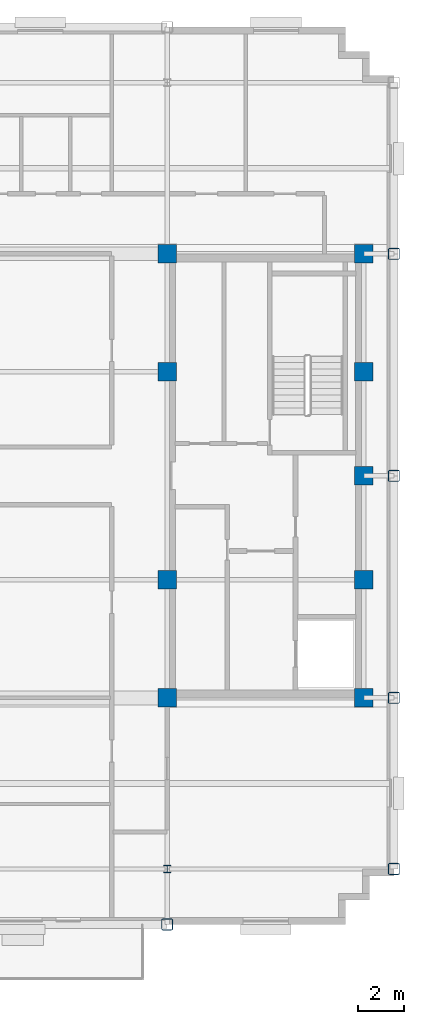
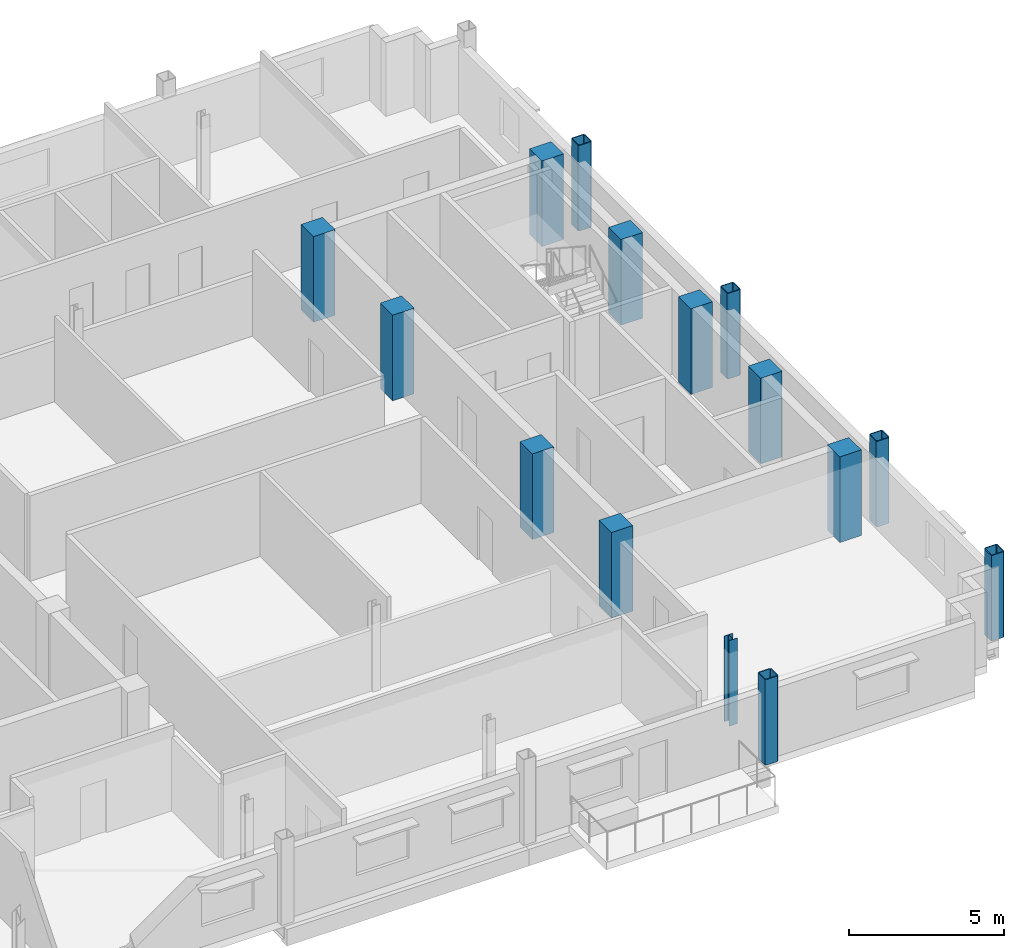
# One storey, part 2 of 13: 15 columns.
"""IFC4 building model written with IfcOpenShell, lengths in metres."""

from ifc_helpers import new_model, si_unit, direction, frame, origin, origin_2d, place, context, subcontext, project, spatial, rectangle, hollow_rectangle, i_section, extrude, material, material_profile, profile_set, type_object, element, save


model = new_model("IFC4")

# Units and contexts
model_context = context("Model", 3, precision=1e-05, world=origin(), true_north=direction((0.0, 1.0)))
body_context = subcontext(model_context, "Body", "Model", "MODEL_VIEW")
ifc_project = project(units=[si_unit("LENGTHUNIT", "METRE"), si_unit("AREAUNIT", "SQUARE_METRE"), si_unit("VOLUMEUNIT", "CUBIC_METRE"), si_unit("PLANEANGLEUNIT", "RADIAN"), si_unit("MASSUNIT", "GRAM", prefix="KILO")], contexts=[model_context])

# Site, building, storey
site_placement = place(None, origin())
site = spatial("IfcSite", under=ifc_project, at=site_placement, CompositionType="ELEMENT")
building_placement = place(site_placement, origin())
building = spatial("IfcBuilding", under=site, at=building_placement, Name="Nuvemarco Arch Tower", CompositionType="ELEMENT")
storey_placement = place(building_placement, frame((0.0, 0.0, 231.050048828125)))
storey = spatial("IfcBuildingStorey", under=building, at=storey_placement, Name="L61", CompositionType="ELEMENT", Elevation=231.050048828125)

# Columns
ifc_material_1 = material(Name="Concrete C50/60", Category="concrete")
ifc_material_profile_1 = material_profile(ifc_material_1, rectangle(XDim=0.800048828125, YDim=0.800048828125, at=origin_2d()), Name="RC-COL-800x800")
ifc_profile_set_1 = profile_set([ifc_material_profile_1], Name="Concrete C50/60")
column_type_1 = type_object("IfcColumnType", Name="COL-CORE-800", PredefinedType="COLUMN", material=ifc_profile_set_1)
for number, where, z_axis, x_axis, name in (
    (1, (9.0, -9.60009765625, 0.0), (0.0, 0.0, 1.0), (1.0, 0.0, 0.0), "L61 column CC_+9.0_-9.6"),
    (2, (9.0, -4.5, 0.0), (0.0, 0.0, 1.0), (1.0, 0.0, 0.0), "L61 column CC_+9.0_-4.5"),
    (3, (9.0, 4.5, 0.0), (0.0, 0.0, 1.0), (1.0, 0.0, 0.0), "L61 column CC_+9.0_+4.5"),
    (4, (9.0, 9.60009765625, 0.0), (0.0, 0.0, 1.0), (1.0, 0.0, 0.0), "L61 column CC_+9.0_+9.6"),
    (5, (17.5, -9.60009765625, 0.0), (0.0, 0.0, 1.0), (1.0, 0.0, 0.0), "L61 column CC_+17.5_-9.6"),
    (6, (17.5, -4.5, 0.0), (0.0, 0.0, 1.0), (1.0, 0.0, 0.0), "L61 column CC_+17.5_-4.5"),
    (7, (17.5, 4.5, 0.0), (0.0, 0.0, 1.0), (1.0, 0.0, 0.0), "L61 column CC_+17.5_+4.5"),
    (8, (17.5, 9.60009765625, 0.0), (0.0, 0.0, 1.0), (1.0, 0.0, 0.0), "L61 column CC_+17.5_+9.6"),
    (9, (17.5, 0.0, 0.0), (0.0, 0.0, 1.0), (1.0, 0.0, 0.0), "L61 column CC_+17.5_+0.0"),
):
    element("IfcColumn", number, at=place(storey_placement, frame(where, z_axis=z_axis, x_axis=x_axis)), inside=storey, type_object=column_type_1, Name=name, PredefinedType="COLUMN", context=body_context, shape_type="SweptSolid", body=[
        extrude(rectangle(XDim=0.800048828125, YDim=0.800048828125, at=origin_2d()), origin(), (0.0, 0.0, 1.0), 3.369873046875),
    ])
ifc_material_2 = material(Name="Steel S355", Category="steel")
ifc_material_profile_2 = material_profile(ifc_material_2, hollow_rectangle(XDim=0.5, YDim=0.5, WallThickness=0.031982421875, InnerFilletRadius=0.031982421875, OuterFilletRadius=0.06396484375, at=origin_2d()), Name="SHS500x500x32")
ifc_profile_set_2 = profile_set([ifc_material_profile_2], Name="Steel S355")
column_type_2 = type_object("IfcColumnType", Name="COL-EXO-500", PredefinedType="COLUMN", material=ifc_profile_set_2)
for number, where, z_axis, x_axis, name in (
    (10, (18.800048828125, -17.0, 0.0), (0.0, 0.0, 1.0), (1.0, 0.0, 0.0), "L61 column CX_+18.8_-17.0"),
    (11, (18.800048828125, -9.60009765625, 0.0), (0.0, 0.0, 1.0), (1.0, 0.0, 0.0), "L61 column CX_+18.8_-9.6"),
    (12, (18.800048828125, 0.0, 0.0), (0.0, 0.0, 1.0), (1.0, 0.0, 0.0), "L61 column CX_+18.8_+0.0"),
    (13, (18.800048828125, 9.60009765625, 0.0), (0.0, 0.0, 1.0), (1.0, 0.0, 0.0), "L61 column CX_+18.8_+9.6"),
    (14, (9.0, -19.39990234375, 0.0), (0.0, 0.0, 1.0), (1.0, 0.0, 0.0), "L61 column CY_+9.0_-19.4"),
):
    element("IfcColumn", number, at=place(storey_placement, frame(where, z_axis=z_axis, x_axis=x_axis)), inside=storey, type_object=column_type_2, Name=name, PredefinedType="COLUMN", context=body_context, shape_type="SweptSolid", body=[
        extrude(hollow_rectangle(XDim=0.5, YDim=0.5, WallThickness=0.031982421875, InnerFilletRadius=0.031982421875, OuterFilletRadius=0.06396484375, at=origin_2d()), origin(), (0.0, 0.0, 1.0), 3.369873046875),
    ])
ifc_material_profile_3 = material_profile(ifc_material_2, i_section(OverallWidth=0.31005859375, OverallDepth=0.31005859375, WebThickness=0.015380859375, FlangeThickness=0.015380859375, FilletRadius=0.014892578125, at=origin_2d()), Name="HP310x110")
ifc_profile_set_3 = profile_set([ifc_material_profile_3], Name="Steel S355")
column_type_3 = type_object("IfcColumnType", Name="COL-STL-HP310", PredefinedType="COLUMN", material=ifc_profile_set_3)
column_placement = place(storey_placement, frame((9.0, -17.0, 0.0), z_axis=(0.0, 0.0, 1.0), x_axis=(1.0, 0.0, 0.0)))
element("IfcColumn", 15, at=column_placement, inside=storey, type_object=column_type_3, Name="L61 column CI_+9.0_-17.0", PredefinedType="COLUMN", context=body_context, shape_type="SweptSolid", body=[
    extrude(i_section(OverallWidth=0.31005859375, OverallDepth=0.31005859375, WebThickness=0.015380859375, FlangeThickness=0.015380859375, FilletRadius=0.014892578125, at=origin_2d()), origin(), (0.0, 0.0, 1.0), 3.369873046875),
])

save(model, "model.ifc")
